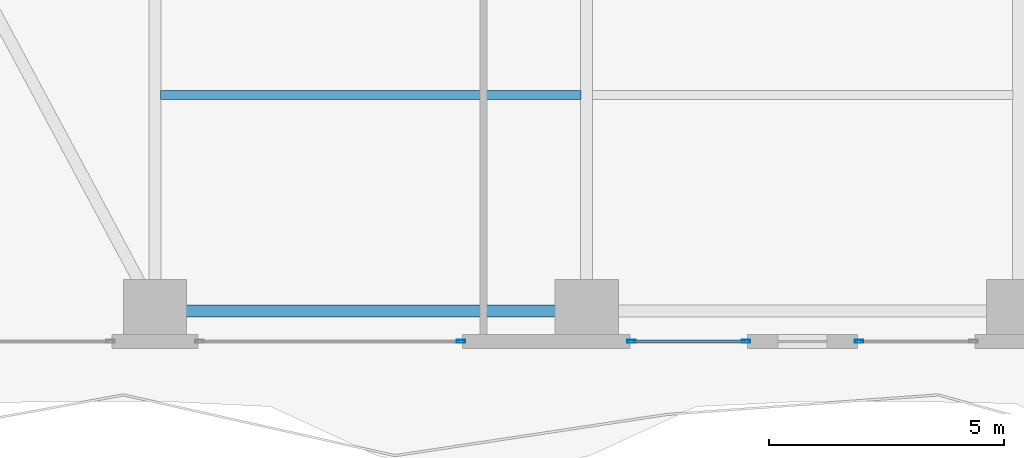
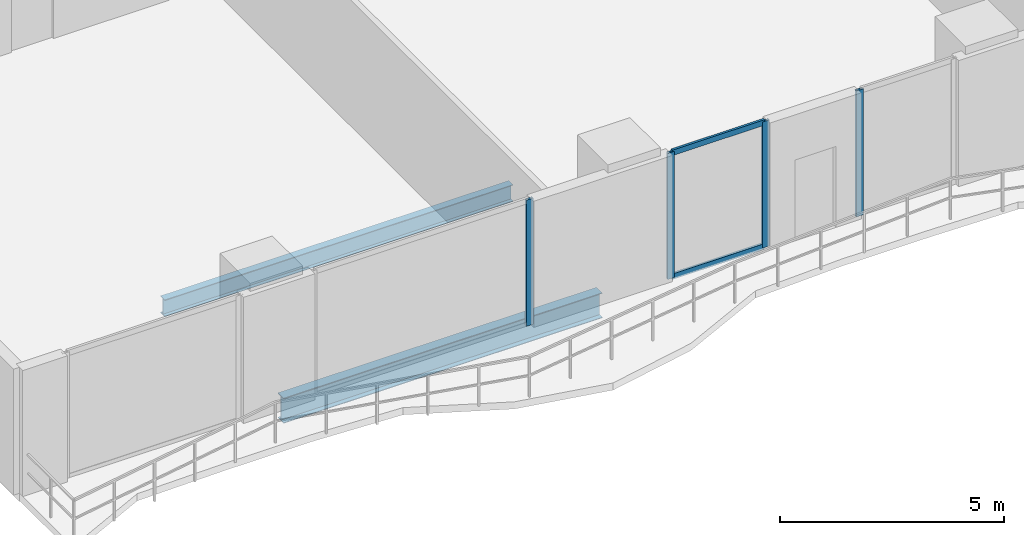
# One storey, part 4 of 28: 6 members, 2 beams, 3 elements without a shape of their own.
"""IFC4 building model written with IfcOpenShell, lengths in metres."""

from ifc_helpers import new_model, si_unit, direction, frame, origin, origin_2d, place, context, subcontext, project, spatial, hollow_rectangle, i_section, extrude, material, layer, layer_set, material_profile, profile_set, type_object, element, aggregate, save


model = new_model("IFC4")

# Units and contexts
model_context = context("Model", 3, precision=1e-05, world=origin(), true_north=direction((0.0, 1.0)))
body_context = subcontext(model_context, "Body", "Model", "MODEL_VIEW")
ifc_project = project(units=[si_unit("LENGTHUNIT", "METRE"), si_unit("AREAUNIT", "SQUARE_METRE"), si_unit("VOLUMEUNIT", "CUBIC_METRE"), si_unit("PLANEANGLEUNIT", "RADIAN"), si_unit("MASSUNIT", "GRAM", prefix="KILO")], contexts=[model_context])

# Site, building, storey
site_placement = place(None, origin())
site = spatial("IfcSite", under=ifc_project, at=site_placement, CompositionType="ELEMENT")
building_placement = place(site_placement, origin())
building = spatial("IfcBuilding", under=site, at=building_placement, Name="Zuhayl Quay Hotel", CompositionType="ELEMENT")
storey_placement = place(building_placement, frame((0.0, 0.0, 110.25)))
storey = spatial("IfcBuildingStorey", under=building, at=storey_placement, Name="L27", CompositionType="ELEMENT", Elevation=110.25)

# Beams
ifc_material_1 = material(Name="Steel ASTM A992 Grade 50", Category="steel")
ifc_material_profile_1 = material_profile(ifc_material_1, i_section(OverallWidth=0.25390625, OverallDepth=0.68310546875, WebThickness=0.012451171875, FlangeThickness=0.018798828125, at=origin_2d()), Name="W27X94")
ifc_profile_set_1 = profile_set([ifc_material_profile_1], Name="Steel ASTM A992 Grade 50")
beam_type_1 = type_object("IfcBeamType", Name="BM_B2_W27X94", PredefinedType="BEAM", material=ifc_profile_set_1)
beam_1_placement = place(storey_placement, frame((-13.300048828125, -14.75, -0.5615234375), z_axis=(1.0, 0.0, 0.0), x_axis=(0.0, 1.0, 0.0)))
element("IfcBeam", 1, at=beam_1_placement, inside=storey, type_object=beam_type_1, Name="L27 Floor Beam RG_L27_01", PredefinedType="BEAM", context=body_context, shape_type="SweptSolid", body=[
    extrude(i_section(OverallWidth=0.25390625, OverallDepth=0.68310546875, WebThickness=0.012451171875, FlangeThickness=0.018798828125, at=origin_2d()), origin(), (0.0, 0.0, 1.0), 8.199951171875),
])
ifc_material_profile_2 = material_profile(ifc_material_1, i_section(OverallWidth=0.18994140625, OverallDepth=0.45703125, WebThickness=0.009033203125, FlangeThickness=0.014404296875, at=origin_2d()), Name="W18X50")
ifc_profile_set_2 = profile_set([ifc_material_profile_2], Name="Steel ASTM A992 Grade 50")
beam_type_2 = type_object("IfcBeamType", Name="BM_J2_W18X50", PredefinedType="JOIST", material=ifc_profile_set_2)
beam_2_placement = place(storey_placement, frame((-13.680908203125, -10.14990234375, -0.448486328125), z_axis=(1.0, 0.0, 0.0), x_axis=(0.0, 1.0, 0.0)))
element("IfcBeam", 2, at=beam_2_placement, inside=storey, type_object=beam_type_2, Name="L27 Floor Beam FJ_L27_5_1", PredefinedType="JOIST", context=body_context, shape_type="SweptSolid", body=[
    extrude(i_section(OverallWidth=0.18994140625, OverallDepth=0.45703125, WebThickness=0.009033203125, FlangeThickness=0.014404296875, at=origin_2d()), origin(), (0.0, 0.0, 1.0), 8.9619140625),
])

# Curtain wall, member
ifc_material_2 = material(Name="Anodised Aluminium 6063-T6", Category="aluminium")
ifc_layer = layer(ifc_material_2, 0.179931640625, Name="Anodised Aluminium 6063-T6", Category="aluminium")
ifc_layer_set = layer_set([ifc_layer], Name="Anodised Aluminium 6063-T6")
curtain_wall_type = type_object("IfcCurtainWallType", Name="CW_SYS_Z2", PredefinedType="USERDEFINED", material=ifc_layer_set)
curtain_wall_1_placement = place(storey_placement, origin())
curtain_wall_1 = element("IfcCurtainWall", 3, at=curtain_wall_1_placement, inside=storey, type_object=curtain_wall_type, Name="L27 Curtain Wall ENV_L27_S_CW3", ObjectType="UNITISED CURTAIN WALL", PredefinedType="USERDEFINED")
ifc_material_3 = material(Name="Black-anodised aluminium 6063-T6", Category="aluminium")
ifc_material_profile_3 = material_profile(ifc_material_3, hollow_rectangle(XDim=0.06494140625, YDim=0.179931640625, WallThickness=0.00341796875, at=origin_2d()), Name="ALU180X65")
ifc_profile_set_3 = profile_set([ifc_material_profile_3], Name="Black-anodised aluminium 6063-T6")
member_type_1 = type_object("IfcMemberType", Name="MB_CW_MUL_180", PredefinedType="MULLION", material=ifc_profile_set_3)
member_1_placement = place(storey_placement, frame((1.20751953125, -15.39990234375, 0.0), z_axis=(0.0, 0.0, 1.0), x_axis=(0.0, -1.0, 0.0)))
member_1 = element("IfcMember", 4, at=member_1_placement, type_object=member_type_1, Name="CW-Z2 mullion 2", PredefinedType="MULLION", context=body_context, shape_type="SweptSolid", body=[
    extrude(hollow_rectangle(XDim=0.06494140625, YDim=0.179931640625, WallThickness=0.00341796875, at=origin_2d()), origin(), (0.0, 0.0, 1.0), 3.429931640625),
])
aggregate(curtain_wall_1, [member_1])

# Curtain wall, members
curtain_wall_2_placement = place(storey_placement, origin())
curtain_wall_2 = element("IfcCurtainWall", 5, at=curtain_wall_2_placement, inside=storey, type_object=curtain_wall_type, Name="L27 Curtain Wall ENV_L27_S_CW4", ObjectType="UNITISED CURTAIN WALL", PredefinedType="USERDEFINED")
member_2_placement = place(storey_placement, frame((-1.20751953125, -15.39990234375, 0.0), z_axis=(0.0, 0.0, 1.0), x_axis=(0.0, -1.0, 0.0)))
member_2 = element("IfcMember", 6, at=member_2_placement, type_object=member_type_1, Name="CW-Z2 mullion 1", PredefinedType="MULLION", context=body_context, shape_type="SweptSolid", body=[
    extrude(hollow_rectangle(XDim=0.06494140625, YDim=0.179931640625, WallThickness=0.00341796875, at=origin_2d()), origin(), (0.0, 0.0, 1.0), 3.429931640625),
])
member_3_placement = place(storey_placement, frame((-3.6474609375, -15.39990234375, 0.0), z_axis=(0.0, 0.0, 1.0), x_axis=(0.0, -1.0, 0.0)))
member_3 = element("IfcMember", 7, at=member_3_placement, type_object=member_type_1, Name="CW-Z2 mullion 2", PredefinedType="MULLION", context=body_context, shape_type="SweptSolid", body=[
    extrude(hollow_rectangle(XDim=0.06494140625, YDim=0.179931640625, WallThickness=0.00341796875, at=origin_2d()), origin(), (0.0, 0.0, 1.0), 3.429931640625),
])

# Curtain wall, member
curtain_wall_3_placement = place(storey_placement, origin())
curtain_wall_3 = element("IfcCurtainWall", 8, at=curtain_wall_3_placement, inside=storey, type_object=curtain_wall_type, Name="L27 Curtain Wall ENV_L27_S_CW5", ObjectType="UNITISED CURTAIN WALL", PredefinedType="USERDEFINED")
member_4_placement = place(storey_placement, frame((-7.282470703125, -15.39990234375, 0.0), z_axis=(0.0, 0.0, 1.0), x_axis=(0.0, -1.0, 0.0)))
member_4 = element("IfcMember", 9, at=member_4_placement, type_object=member_type_1, Name="CW-Z2 mullion 1", PredefinedType="MULLION", context=body_context, shape_type="SweptSolid", body=[
    extrude(hollow_rectangle(XDim=0.06494140625, YDim=0.179931640625, WallThickness=0.00341796875, at=origin_2d()), origin(), (0.0, 0.0, 1.0), 3.429931640625),
])
aggregate(curtain_wall_3, [member_4])

# Member
ifc_material_profile_4 = material_profile(ifc_material_3, hollow_rectangle(XDim=0.06005859375, YDim=0.14990234375, WallThickness=0.00341796875, at=origin_2d()), Name="ALU150X60")
ifc_profile_set_4 = profile_set([ifc_material_profile_4], Name="Black-anodised aluminium 6063-T6")
member_type_2 = type_object("IfcMemberType", Name="MB_CW_TRN_150", PredefinedType="USERDEFINED", material=ifc_profile_set_4)
member_5_placement = place(storey_placement, frame((-1.239990234375, -15.39990234375, 0.030029296875), z_axis=(-1.0, 0.0, 0.0), x_axis=(0.0, -1.0, 0.0)))
member_5 = element("IfcMember", 10, at=member_5_placement, type_object=member_type_2, Name="CW-Z2 transom 1.1", ObjectType="TRANSOM", PredefinedType="USERDEFINED", context=body_context, shape_type="SweptSolid", body=[
    extrude(hollow_rectangle(XDim=0.06005859375, YDim=0.14990234375, WallThickness=0.00341796875, at=origin_2d()), origin(), (0.0, 0.0, 1.0), 2.375),
])

member_6_placement = place(storey_placement, frame((-1.239990234375, -15.39990234375, 3.39990234375), z_axis=(-1.0, 0.0, 0.0), x_axis=(0.0, -1.0, 0.0)))
member_6 = element("IfcMember", 11, at=member_6_placement, type_object=member_type_2, Name="CW-Z2 transom 1.2", ObjectType="TRANSOM", PredefinedType="USERDEFINED", context=body_context, shape_type="SweptSolid", body=[
    extrude(hollow_rectangle(XDim=0.06005859375, YDim=0.14990234375, WallThickness=0.00341796875, at=origin_2d()), origin(), (0.0, 0.0, 1.0), 2.375),
])

aggregate(curtain_wall_2, [member_2, member_3, member_5, member_6])

save(model, "model.ifc")
